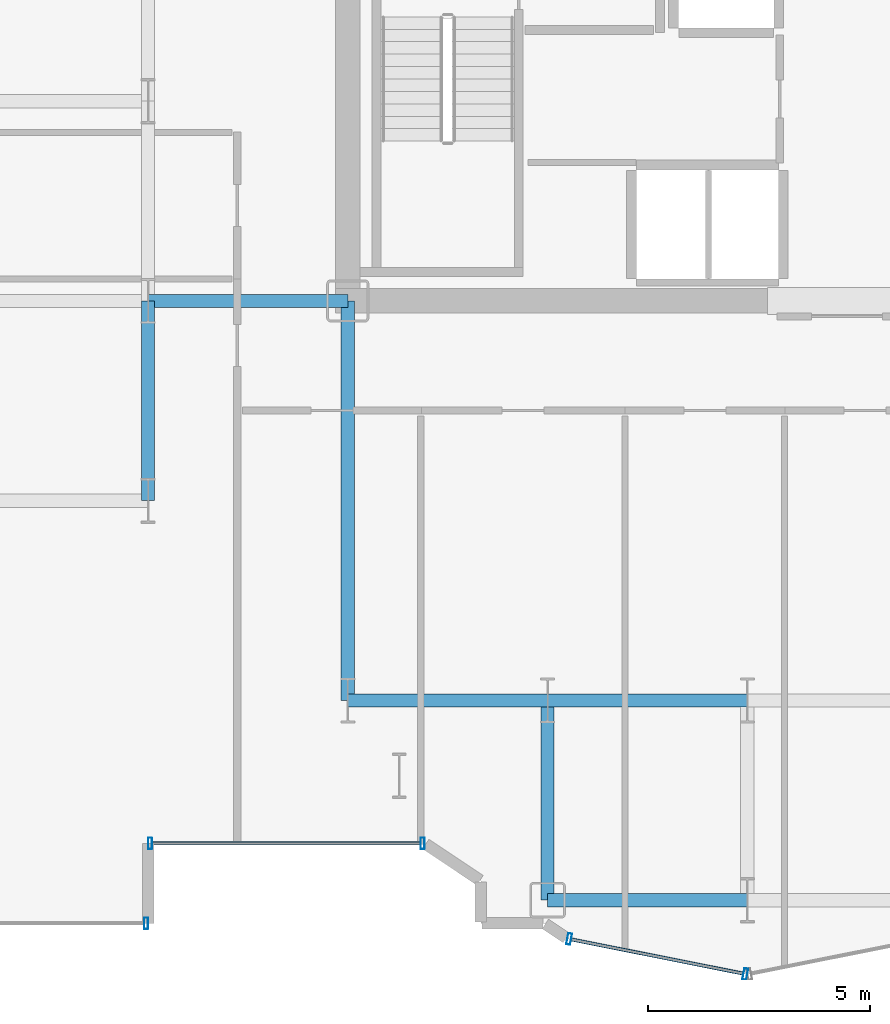
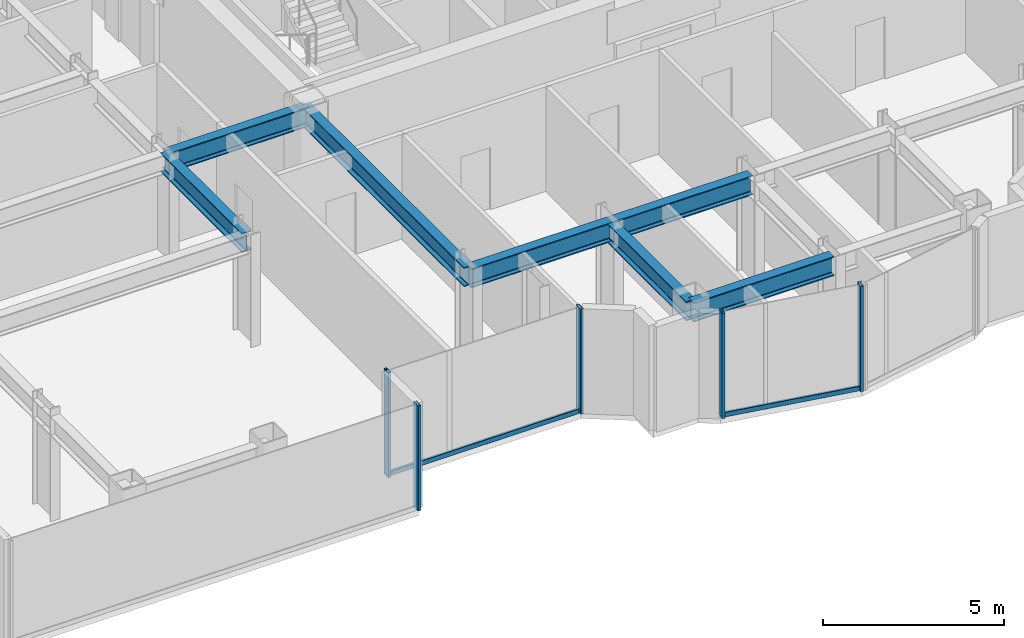
# One storey, part 4 of 26: 7 beams, 7 members, 3 elements without a shape of their own.
"""IFC4 building model written with IfcOpenShell, lengths in metres."""

from ifc_helpers import new_model, si_unit, direction, frame, origin, origin_2d, place, context, subcontext, project, spatial, hollow_rectangle, i_section, extrude, source, transform, mapped, material, layer, layer_set, material_profile, profile_set, type_object, element, aggregate, save


model = new_model("IFC4")

# Units and contexts
model_context = context("Model", 3, precision=1e-05, world=origin(), true_north=direction((0.0, 1.0)))
body_context = subcontext(model_context, "Body", "Model", "MODEL_VIEW")
ifc_project = project(units=[si_unit("LENGTHUNIT", "METRE"), si_unit("AREAUNIT", "SQUARE_METRE"), si_unit("VOLUMEUNIT", "CUBIC_METRE"), si_unit("PLANEANGLEUNIT", "RADIAN"), si_unit("MASSUNIT", "GRAM", prefix="KILO")], contexts=[model_context])

# Site, building, storey
site_placement = place(None, origin())
site = spatial("IfcSite", under=ifc_project, at=site_placement, CompositionType="ELEMENT")
building_placement = place(site_placement, origin())
building = spatial("IfcBuilding", under=site, at=building_placement, Name="Nefas-Gora Pilgrimage Tower", CompositionType="ELEMENT")
storey_placement = place(building_placement, frame((0.0, 0.0, 117.39990234375)))
storey = spatial("IfcBuildingStorey", under=building, at=storey_placement, Name="L28", CompositionType="ELEMENT", Elevation=117.39990234375)

# Beams
ifc_material_1 = material(Name="Steel S355", Category="steel")
ifc_material_profile_1 = material_profile(ifc_material_1, i_section(OverallWidth=0.300048828125, OverallDepth=0.64990234375, WebThickness=0.01611328125, FlangeThickness=0.031005859375, FilletRadius=0.027099609375, at=origin_2d()), Name="HEB 650")
ifc_profile_set_1 = profile_set([ifc_material_profile_1], Name="Steel S355")
beam_type = type_object("IfcBeamType", Name="BM-GIR-HEB650", PredefinedType="BEAM", material=ifc_profile_set_1)
shared_shape_1 = source(origin(), body_context, "Body", "SweptSolid", [
    extrude(i_section(OverallWidth=0.300048828125, OverallDepth=0.64990234375, WebThickness=0.01611328125, FlangeThickness=0.031005859375, FilletRadius=0.027099609375, at=origin_2d()), origin(), (0.0, 0.0, 1.0), 9.0),
])
beam_placement = place(storey_placement, frame((-11.25, -18.0, 3.22509765625), z_axis=(0.0, 1.0, 0.0), x_axis=(-1.0, 0.0, 0.0)))
element("IfcBeam", 1, at=beam_placement, inside=storey, type_object=beam_type, Name="L28 G-03 beam", PredefinedType="BEAM", context=body_context, shape_type="MappedRepresentation", body=[
    mapped(shared_shape_1, transform((0.0, 0.0, 0.0), x_axis=(1.0, 0.0, 0.0), y_axis=(0.0, 1.0, 0.0), z_axis=(0.0, 0.0, 1.0), scale=1.0)),
])
shared_shape_2 = source(origin(), body_context, "Body", "SweptSolid", [
    extrude(i_section(OverallWidth=0.300048828125, OverallDepth=0.64990234375, WebThickness=0.01611328125, FlangeThickness=0.031005859375, FilletRadius=0.027099609375, at=origin_2d()), origin(), (0.0, 0.0, 1.0), 4.5),
])
for number, where, z_axis, x_axis, name in (
    (2, (-15.75, -13.5, 3.22509765625), (0.0, 1.0, 0.0), (-1.0, 0.0, 0.0), "L28 G-03 beam"),
    (3, (-15.75, -9.0, 3.22509765625), (1.0, 0.0, 0.0), (0.0, 1.0, 0.0), "L28 G-03 beam"),
    (4, (-11.25, -18.0, 3.22509765625), (1.0, 0.0, 0.0), (0.0, 1.0, 0.0), "L28 G-03 beam"),
    (5, (-6.75, -22.5, 3.22509765625), (0.0, 1.0, 0.0), (-1.0, 0.0, 0.0), "L28 G-03 beam"),
    (6, (-6.75, -22.5, 3.22509765625), (1.0, 0.0, 0.0), (0.0, 1.0, 0.0), "L28 G-03 beam"),
    (7, (-6.75, -18.0, 3.22509765625), (1.0, 0.0, 0.0), (0.0, 1.0, 0.0), "L28 G-03 beam"),
):
    element("IfcBeam", number, at=place(storey_placement, frame(where, z_axis=z_axis, x_axis=x_axis)), inside=storey, type_object=beam_type, Name=name, PredefinedType="BEAM", context=body_context, shape_type="MappedRepresentation", body=[
        mapped(shared_shape_2, transform((0.0, 0.0, 0.0), x_axis=(1.0, 0.0, 0.0), y_axis=(0.0, 1.0, 0.0), z_axis=(0.0, 0.0, 1.0), scale=1.0)),
    ])

# Curtain wall, members
ifc_material_2 = material(Name="Dark ceramic-fritted solar-control aluminium-glass curtain wall", Category="aluminium")
ifc_layer_1 = layer(ifc_material_2, 0.219970703125)
ifc_layer_set_1 = layer_set([ifc_layer_1], Name="Dark ceramic-fritted solar-control aluminium-glass curtain wall")
curtain_wall_type_1 = type_object("IfcCurtainWallType", Name="CW-SYS-5", PredefinedType="NOTDEFINED", material=ifc_layer_set_1)
curtain_wall_1_placement = place(storey_placement, origin())
curtain_wall_1 = element("IfcCurtainWall", 8, at=curtain_wall_1_placement, inside=storey, type_object=curtain_wall_type_1, Name="L28 Unitised Curtain Wall CW5", PredefinedType="NOTDEFINED")
ifc_material_3 = material(Name="Anodised architectural aluminium", Category="aluminium")
ifc_material_profile_2 = material_profile(ifc_material_3, hollow_rectangle(XDim=0.090087890625, YDim=0.260009765625, WallThickness=0.006103515625, InnerFilletRadius=0.006103515625, OuterFilletRadius=0.011962890625, at=origin_2d()), Name="ALU MULLION 90x260")
ifc_profile_set_2 = profile_set([ifc_material_profile_2], Name="Anodised architectural aluminium")
member_type_1 = type_object("IfcMemberType", Name="CWM-MUL-5", PredefinedType="MULLION", material=ifc_profile_set_2)
shared_shape_3 = source(origin(), body_context, "Body", "SweptSolid", [
    extrude(hollow_rectangle(XDim=0.090087890625, YDim=0.260009765625, WallThickness=0.006103515625, InnerFilletRadius=0.006103515625, OuterFilletRadius=0.011962890625, at=origin_2d()), origin(), (0.0, 0.0, 1.0), 3.550048828125),
])
member_1_placement = place(storey_placement, frame((-15.705078125, -21.219970703125, 0.0), z_axis=(0.0, 0.0, 1.0), x_axis=(1.0, 0.0, 0.0)))
member_1 = element("IfcMember", 9, at=member_1_placement, type_object=member_type_1, Name="CW5 Mullion 1", PredefinedType="MULLION", context=body_context, shape_type="MappedRepresentation", body=[
    mapped(shared_shape_3, transform((0.0, 0.0, 0.0), x_axis=(1.0, 0.0, 0.0), y_axis=(0.0, 1.0, 0.0), z_axis=(0.0, 0.0, 1.0), scale=1.0)),
])
member_2_placement = place(storey_placement, frame((-9.56298828125, -21.219970703125, 0.0), z_axis=(0.0, 0.0, 1.0), x_axis=(1.0, 0.0, 0.0)))
member_2 = element("IfcMember", 10, at=member_2_placement, type_object=member_type_1, Name="CW5 Mullion 2", PredefinedType="MULLION", context=body_context, shape_type="MappedRepresentation", body=[
    mapped(shared_shape_3, transform((0.0, 0.0, 0.0), x_axis=(1.0, 0.0, 0.0), y_axis=(0.0, 1.0, 0.0), z_axis=(0.0, 0.0, 1.0), scale=1.0)),
])

curtain_wall_2_placement = place(storey_placement, origin())
curtain_wall_2 = element("IfcCurtainWall", 11, at=curtain_wall_2_placement, inside=storey, type_object=curtain_wall_type_1, Name="L28 Unitised Curtain Wall CW5", PredefinedType="NOTDEFINED")
member_3_placement = place(storey_placement, frame((-6.26318359375, -23.3740234375, 0.0), z_axis=(0.0, 0.0, 1.0), x_axis=(0.980782896852, -0.195102304554, 0.0)))
member_3 = element("IfcMember", 12, at=member_3_placement, type_object=member_type_1, Name="CW5 Mullion 1", PredefinedType="MULLION", context=body_context, shape_type="MappedRepresentation", body=[
    mapped(shared_shape_3, transform((0.0, 0.0, 0.0), x_axis=(1.0, 0.0, 0.0), y_axis=(0.0, 1.0, 0.0), z_axis=(0.0, 0.0, 1.0), scale=1.0)),
])
member_4_placement = place(storey_placement, frame((-2.294189453125, -24.16357421875, 0.0), z_axis=(0.0, 0.0, 1.0), x_axis=(0.980782896852, -0.195102304554, 0.0)))
member_4 = element("IfcMember", 13, at=member_4_placement, type_object=member_type_1, Name="CW5 Mullion 2", PredefinedType="MULLION", context=body_context, shape_type="MappedRepresentation", body=[
    mapped(shared_shape_3, transform((0.0, 0.0, 0.0), x_axis=(1.0, 0.0, 0.0), y_axis=(0.0, 1.0, 0.0), z_axis=(0.0, 0.0, 1.0), scale=1.0)),
])

# Member
ifc_material_profile_3 = material_profile(ifc_material_3, hollow_rectangle(XDim=0.080078125, YDim=0.159912109375, WallThickness=0.00439453125, InnerFilletRadius=0.00439453125, OuterFilletRadius=0.009033203125, at=origin_2d()), Name="ALU TRANSOM 80x160")
ifc_profile_set_3 = profile_set([ifc_material_profile_3], Name="Anodised architectural aluminium")
member_type_2 = type_object("IfcMemberType", Name="CWM-TRN-5", PredefinedType="USERDEFINED", material=ifc_profile_set_3)
shared_shape_4 = source(origin(), body_context, "Body", "SweptSolid", [
    extrude(hollow_rectangle(XDim=0.080078125, YDim=0.159912109375, WallThickness=0.00439453125, InnerFilletRadius=0.00439453125, OuterFilletRadius=0.009033203125, at=origin_2d()), origin(), (0.0, 0.0, 1.0), 6.052001953125),
])
member_5_placement = place(storey_placement, frame((-15.659912109375, -21.219970703125, 0.050048828125), z_axis=(1.0, 0.0, 0.0), x_axis=(0.0, 1.0, 0.0)))
member_5 = element("IfcMember", 14, at=member_5_placement, type_object=member_type_2, Name="CW5 Spandrel Transom", ObjectType="TRANSOM", PredefinedType="USERDEFINED", context=body_context, shape_type="MappedRepresentation", body=[
    mapped(shared_shape_4, transform((0.0, 0.0, 0.0), x_axis=(1.0, 0.0, 0.0), y_axis=(0.0, 1.0, 0.0), z_axis=(0.0, 0.0, 1.0), scale=1.0)),
])

aggregate(curtain_wall_1, [member_1, member_2, member_5])

# Curtain wall, member
ifc_layer_2 = layer(ifc_material_2, 0.219970703125)
ifc_layer_set_2 = layer_set([ifc_layer_2], Name="Dark ceramic-fritted solar-control aluminium-glass curtain wall")
curtain_wall_type_2 = type_object("IfcCurtainWallType", Name="CW-SYS-2", PredefinedType="NOTDEFINED", material=ifc_layer_set_2)
curtain_wall_3_placement = place(storey_placement, origin())
curtain_wall_3 = element("IfcCurtainWall", 15, at=curtain_wall_3_placement, inside=storey, type_object=curtain_wall_type_2, Name="L28 Unitised Curtain Wall CW2", PredefinedType="NOTDEFINED")
ifc_material_profile_4 = material_profile(ifc_material_3, hollow_rectangle(XDim=0.090087890625, YDim=0.260009765625, WallThickness=0.006103515625, InnerFilletRadius=0.006103515625, OuterFilletRadius=0.011962890625, at=origin_2d()), Name="ALU MULLION 90x260")
ifc_profile_set_4 = profile_set([ifc_material_profile_4], Name="Anodised architectural aluminium")
member_type_3 = type_object("IfcMemberType", Name="CWM-MUL-2", PredefinedType="MULLION", material=ifc_profile_set_4)
shared_shape_5 = source(origin(), body_context, "Body", "SweptSolid", [
    extrude(hollow_rectangle(XDim=0.090087890625, YDim=0.260009765625, WallThickness=0.006103515625, InnerFilletRadius=0.006103515625, OuterFilletRadius=0.011962890625, at=origin_2d()), origin(), (0.0, 0.0, 1.0), 3.550048828125),
])
member_6_placement = place(storey_placement, frame((-15.794921875, -23.02001953125, 0.0), z_axis=(0.0, 0.0, 1.0), x_axis=(1.0, 0.0, 0.0)))
member_6 = element("IfcMember", 16, at=member_6_placement, type_object=member_type_3, Name="CW2 Mullion 2", PredefinedType="MULLION", context=body_context, shape_type="MappedRepresentation", body=[
    mapped(shared_shape_5, transform((0.0, 0.0, 0.0), x_axis=(1.0, 0.0, 0.0), y_axis=(0.0, 1.0, 0.0), z_axis=(0.0, 0.0, 1.0), scale=1.0)),
])
aggregate(curtain_wall_3, [member_6])

# Member
shared_shape_6 = source(origin(), body_context, "Body", "SweptSolid", [
    extrude(hollow_rectangle(XDim=0.080078125, YDim=0.159912109375, WallThickness=0.00439453125, InnerFilletRadius=0.00439453125, OuterFilletRadius=0.009033203125, at=origin_2d()), origin(), (0.0, 0.0, 1.0), 3.95654296875),
])
member_7_placement = place(storey_placement, frame((-6.218994140625, -23.3828125, 0.050048828125), z_axis=(0.980781880918, -0.195107411605, 0.0), x_axis=(0.195107411605, 0.980781880918, 0.0)))
member_7 = element("IfcMember", 17, at=member_7_placement, type_object=member_type_2, Name="CW5 Spandrel Transom", ObjectType="TRANSOM", PredefinedType="USERDEFINED", context=body_context, shape_type="MappedRepresentation", body=[
    mapped(shared_shape_6, transform((0.0, 0.0, 0.0), x_axis=(1.0, 0.0, 0.0), y_axis=(0.0, 1.0, 0.0), z_axis=(0.0, 0.0, 1.0), scale=1.0)),
])

aggregate(curtain_wall_2, [member_3, member_4, member_7])

save(model, "model.ifc")
